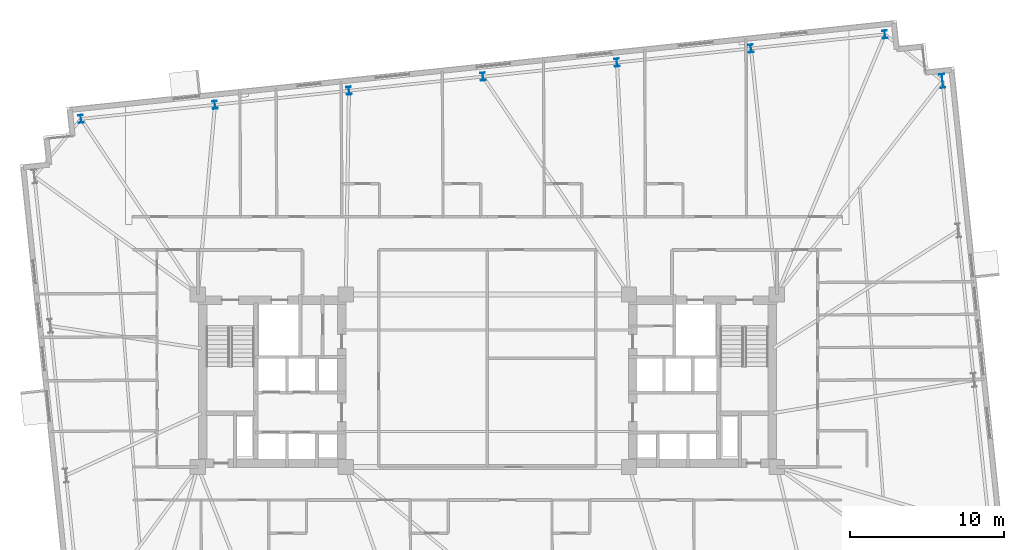
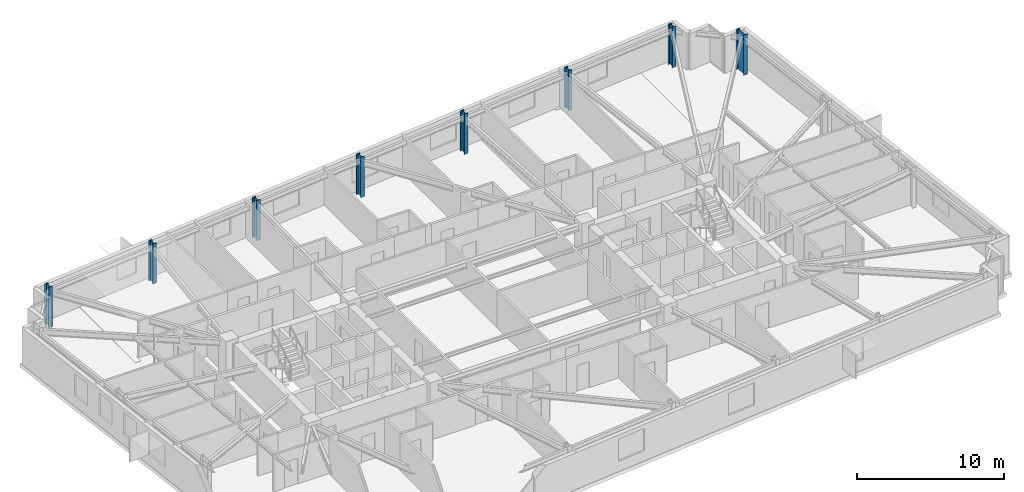
# One storey, part 3 of 20: 8 columns.
"""IFC4 building model written with IfcOpenShell, lengths in metres."""

from ifc_helpers import new_model, si_unit, direction, frame, origin, origin_2d, place, context, subcontext, project, spatial, i_section, extrude, material, material_profile, profile_set, type_object, element, save


model = new_model("IFC4")

# Units and contexts
model_context = context("Model", 3, precision=1e-05, world=origin(), true_north=direction((0.0, 1.0)))
body_context = subcontext(model_context, "Body", "Model", "MODEL_VIEW")
ifc_project = project(units=[si_unit("LENGTHUNIT", "METRE"), si_unit("AREAUNIT", "SQUARE_METRE"), si_unit("VOLUMEUNIT", "CUBIC_METRE"), si_unit("PLANEANGLEUNIT", "RADIAN"), si_unit("MASSUNIT", "GRAM", prefix="KILO")], contexts=[model_context])

# Site, building, storey
site_placement = place(None, origin())
site = spatial("IfcSite", under=ifc_project, at=site_placement, CompositionType="ELEMENT")
building_placement = place(site_placement, origin())
building = spatial("IfcBuilding", under=site, at=building_placement, Name="Qobustan Lattice House", CompositionType="ELEMENT")
storey_placement = place(building_placement, frame((0.0, 0.0, 89.050048828125)))
storey = spatial("IfcBuildingStorey", under=building, at=storey_placement, Name="L24", CompositionType="ELEMENT", Elevation=89.050048828125)

# Columns
ifc_material_1 = material(Name="Steel S355", Category="steel")
ifc_material_profile_1 = material_profile(ifc_material_1, i_section(OverallWidth=0.300048828125, OverallDepth=0.89990234375, WebThickness=0.0185546875, FlangeThickness=0.034912109375, FilletRadius=0.030029296875, at=origin_2d()), Name="HEB900")
ifc_profile_set_1 = profile_set([ifc_material_profile_1], Name="Steel S355")
column_type_1 = type_object("IfcColumnType", Name="COL-ST-HEB900", PredefinedType="COLUMN", material=ifc_profile_set_1)
column_placement = place(storey_placement, frame((29.55615234375, 19.468994140625, 0.0), z_axis=(0.0, 0.0, 1.0), x_axis=(0.994521895368, 0.104528463268, 0.0)))
element("IfcColumn", 1, at=column_placement, inside=storey, type_object=column_type_1, Name="L24 B2 perimeter column E4", PredefinedType="COLUMN", context=body_context, shape_type="SweptSolid", body=[
    extrude(i_section(OverallWidth=0.300048828125, OverallDepth=0.89990234375, WebThickness=0.0185546875, FlangeThickness=0.034912109375, FilletRadius=0.030029296875, at=origin_2d()), origin(), (0.0, 0.0, 1.0), 3.349853515625),
])
ifc_material_2 = material(Name="Steel S355", Category="steel")
ifc_material_profile_2 = material_profile(ifc_material_2, i_section(OverallWidth=0.305908203125, OverallDepth=0.52392578125, WebThickness=0.02099609375, FlangeThickness=0.0400390625, FilletRadius=0.027099609375, at=origin_2d()), Name="HEM500")
ifc_profile_set_2 = profile_set([ifc_material_profile_2], Name="Steel S355")
column_type_2 = type_object("IfcColumnType", Name="COL-ST-HEM500", PredefinedType="COLUMN", material=ifc_profile_set_2)
for number, where, z_axis, x_axis, name in (
    (2, (25.819580078125, 22.4951171875, 0.0), (0.0, 0.0, 1.0), (0.994521895368, 0.104528463268, 0.0), "L24 B2 perimeter column N1"),
    (3, (17.117431640625, 21.580322265625, 0.0), (0.0, 0.0, 1.0), (0.994521895368, 0.104528463268, 0.0), "L24 B2 perimeter column N2"),
    (4, (8.415283203125, 20.665771484375, 0.0), (0.0, 0.0, 1.0), (0.994521895368, 0.104528463268, 0.0), "L24 B2 perimeter column N3"),
    (5, (-0.28662109375, 19.751220703125, 0.0), (0.0, 0.0, 1.0), (0.994521895368, 0.104528463268, 0.0), "L24 B2 perimeter column N4"),
    (6, (-8.98876953125, 18.83642578125, 0.0), (0.0, 0.0, 1.0), (0.994521895368, 0.104528463268, 0.0), "L24 B2 perimeter column N5"),
    (7, (-17.69091796875, 17.921875, 0.0), (0.0, 0.0, 1.0), (0.994521895368, 0.104528463268, 0.0), "L24 B2 perimeter column N6"),
    (8, (-26.392822265625, 17.007080078125, 0.0), (0.0, 0.0, 1.0), (0.994521895368, 0.104528463268, 0.0), "L24 B2 perimeter column N7"),
):
    element("IfcColumn", number, at=place(storey_placement, frame(where, z_axis=z_axis, x_axis=x_axis)), inside=storey, type_object=column_type_2, Name=name, PredefinedType="COLUMN", context=body_context, shape_type="SweptSolid", body=[
        extrude(i_section(OverallWidth=0.305908203125, OverallDepth=0.52392578125, WebThickness=0.02099609375, FlangeThickness=0.0400390625, FilletRadius=0.027099609375, at=origin_2d()), origin(), (0.0, 0.0, 1.0), 3.349853515625),
    ])

save(model, "model.ifc")
